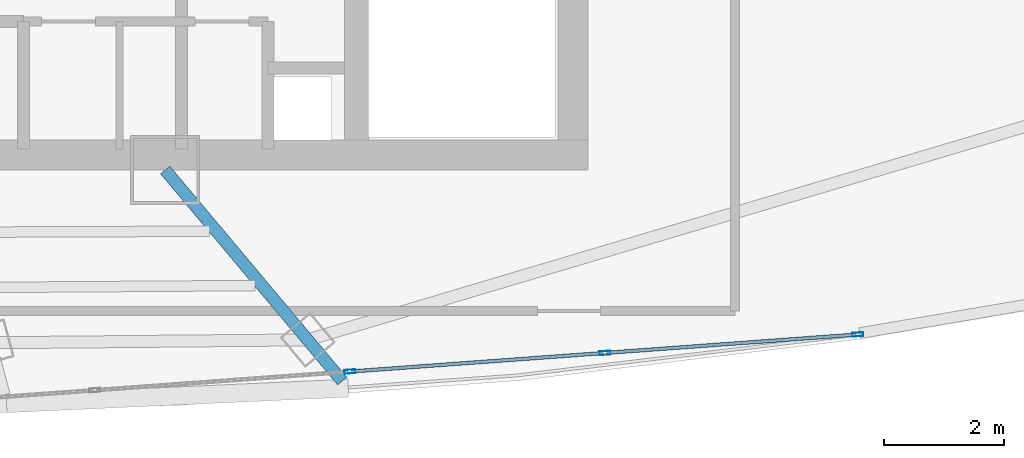
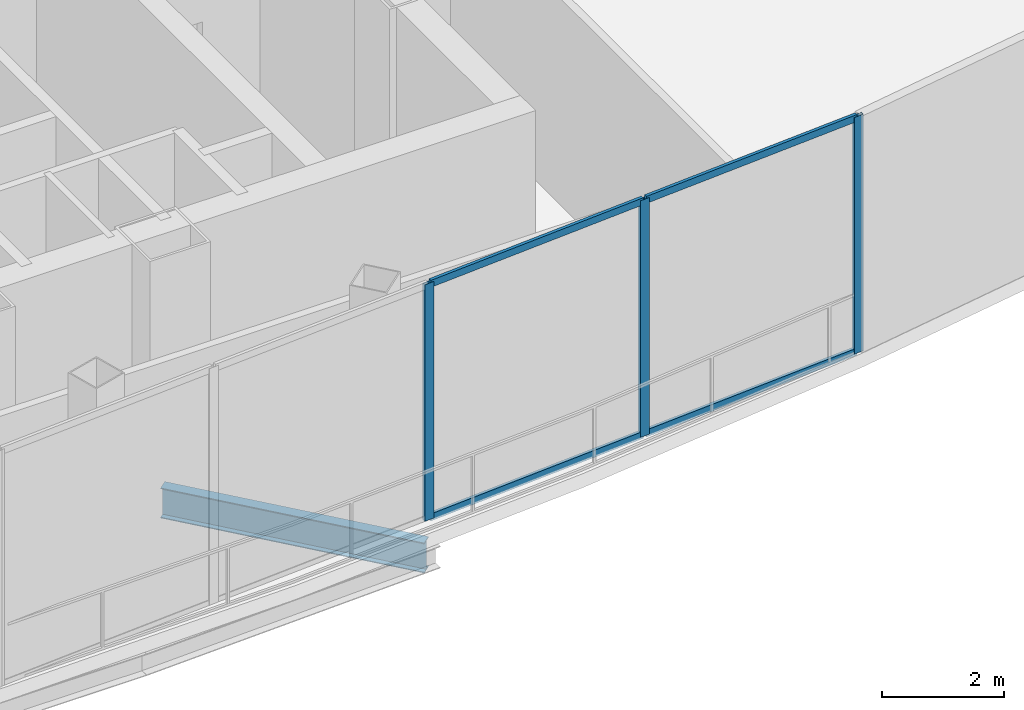
# One storey, part 14 of 32: 7 members, 1 beam, 1 element without a shape of its own.
"""IFC4 building model written with IfcOpenShell, lengths in metres."""

from ifc_helpers import new_model, si_unit, direction, frame, origin, origin_2d, place, context, subcontext, project, spatial, hollow_rectangle, i_section, extrude, source, transform, mapped, material, layer, layer_set, material_profile, profile_set, type_object, element, aggregate, save


model = new_model("IFC4")

# Units and contexts
model_context = context("Model", 3, precision=1e-05, world=origin(), true_north=direction((0.0, 1.0)))
body_context = subcontext(model_context, "Body", "Model", "MODEL_VIEW")
ifc_project = project(units=[si_unit("LENGTHUNIT", "METRE"), si_unit("AREAUNIT", "SQUARE_METRE"), si_unit("VOLUMEUNIT", "CUBIC_METRE"), si_unit("PLANEANGLEUNIT", "RADIAN"), si_unit("MASSUNIT", "GRAM", prefix="KILO"), si_unit("THERMODYNAMICTEMPERATUREUNIT", "KELVIN"), si_unit("POWERUNIT", "WATT")], contexts=[model_context])

# Site, building, storey
site_placement = place(None, origin())
site = spatial("IfcSite", under=ifc_project, at=site_placement, CompositionType="ELEMENT")
building_placement = place(site_placement, origin())
building = spatial("IfcBuilding", under=site, at=building_placement, Name="Yunzhuo Pagoda Commons", CompositionType="ELEMENT")
storey_placement = place(building_placement, frame((0.0, 0.0, 396.760009765625)))
storey = spatial("IfcBuildingStorey", under=building, at=storey_placement, Name="L98", CompositionType="ELEMENT", Elevation=396.760009765625)

# Beam
ifc_material_1 = material(Name="Structural steel Q355B", Category="steel")
ifc_material_profile_1 = material_profile(ifc_material_1, i_section(OverallWidth=0.199951171875, OverallDepth=0.60009765625, WebThickness=0.010986328125, FlangeThickness=0.01708984375, at=origin_2d()), Name="Structural steel Q355B")
ifc_profile_set_1 = profile_set([ifc_material_profile_1], Name="Structural steel Q355B")
beam_type = type_object("IfcBeamType", Name="B-RG3 Beam HN 600x200x11x17", PredefinedType="BEAM", material=ifc_profile_set_1)
shared_shape_1 = source(origin(), body_context, "Body", "SweptSolid", [
    extrude(i_section(OverallWidth=0.199951171875, OverallDepth=0.60009765625, WebThickness=0.010986328125, FlangeThickness=0.01708984375, at=origin_2d()), origin(), (0.0, 0.0, 1.0), 4.587158203125),
])
beam_placement = place(storey_placement, frame((56.360595703125, 23.736083984375, -0.580078125), z_axis=(-0.642782581433, 0.766048662297, 0.0), x_axis=(-0.766048662297, -0.642782581433, 0.0)))
element("IfcBeam", 1, at=beam_placement, inside=storey, type_object=beam_type, Name="L98 radial floor girder F1C4", PredefinedType="BEAM", context=body_context, shape_type="MappedRepresentation", body=[
    mapped(shared_shape_1, transform((0.0, 0.0, 0.0), scale=1.0)),
])

# Curtain wall, members
ifc_material_2 = material(Name="Anodized aluminium 6063-T6", Category="aluminium")
ifc_layer = layer(ifc_material_2, 0.179931640625)
ifc_layer_set = layer_set([ifc_layer], Name="Anodized aluminium 6063-T6")
curtain_wall_type = type_object("IfcCurtainWallType", Name="CW-CRN Crown Gable Glazing System", PredefinedType="NOTDEFINED", material=ifc_layer_set)
curtain_wall_placement = place(storey_placement, origin())
curtain_wall = element("IfcCurtainWall", 2, at=curtain_wall_placement, inside=storey, type_object=curtain_wall_type, Name="L98 curtain wall CW-L98-CRNF1G2", PredefinedType="NOTDEFINED")
ifc_material_profile_2 = material_profile(ifc_material_2, hollow_rectangle(XDim=0.06494140625, YDim=0.179931640625, WallThickness=0.00390625, at=origin_2d()), Name="Anodized aluminium 6063-T6")
ifc_profile_set_2 = profile_set([ifc_material_profile_2], Name="Anodized aluminium 6063-T6")
member_type_1 = type_object("IfcMemberType", Name="CW-CRN-M Mullion RHS 180x65x4", PredefinedType="MULLION", material=ifc_profile_set_2)
shared_shape_2 = source(origin(), body_context, "Body", "SweptSolid", [
    extrude(hollow_rectangle(XDim=0.06494140625, YDim=0.179931640625, WallThickness=0.00390625, at=origin_2d()), origin(), (0.0, 0.0, 1.0), 4.72021484375),
])
member_1_placement = place(storey_placement, frame((56.486572265625, 23.8935546875, 0.0), z_axis=(0.0, 0.0, 1.0), x_axis=(-0.072795997095, 0.997346851806, 0.0)))
member_1 = element("IfcMember", 3, at=member_1_placement, type_object=member_type_1, Name="CW mullion 3", PredefinedType="MULLION", context=body_context, shape_type="MappedRepresentation", body=[
    mapped(shared_shape_2, transform((0.0, 0.0, 0.0), scale=1.0)),
])
member_2_placement = place(storey_placement, frame((60.732666015625, 24.20361328125, 0.0), z_axis=(0.0, 0.0, 1.0), x_axis=(-0.072795997095, 0.997346851806, 0.0)))
member_2 = element("IfcMember", 4, at=member_2_placement, type_object=member_type_1, Name="CW mullion 4", PredefinedType="MULLION", context=body_context, shape_type="MappedRepresentation", body=[
    mapped(shared_shape_2, transform((0.0, 0.0, 0.0), scale=1.0)),
])
member_3_placement = place(storey_placement, frame((64.9462890625, 24.511474609375, 0.0), z_axis=(0.0, 0.0, 1.0), x_axis=(-0.072795997095, 0.997346851806, 0.0)))
member_3 = element("IfcMember", 5, at=member_3_placement, type_object=member_type_1, Name="CW mullion 5", PredefinedType="MULLION", context=body_context, shape_type="MappedRepresentation", body=[
    mapped(shared_shape_2, transform((0.0, 0.0, 0.0), scale=1.0)),
])
ifc_material_profile_3 = material_profile(ifc_material_2, hollow_rectangle(XDim=0.06005859375, YDim=0.139892578125, WallThickness=0.00341796875, at=origin_2d()), Name="Anodized aluminium 6063-T6")
ifc_profile_set_3 = profile_set([ifc_material_profile_3], Name="Anodized aluminium 6063-T6")
member_type_2 = type_object("IfcMemberType", Name="CW-CRN-T Transom RHS 140x60x3.5", PredefinedType="USERDEFINED", material=ifc_profile_set_3)
shared_shape_3 = source(origin(), body_context, "Body", "SweptSolid", [
    extrude(hollow_rectangle(XDim=0.06005859375, YDim=0.139892578125, WallThickness=0.00341796875, at=origin_2d()), origin(), (0.0, 0.0, 1.0), 4.192626953125),
])
member_4_placement = place(storey_placement, frame((56.518798828125, 23.89599609375, 0.030029296875), z_axis=(0.99734724805, 0.072790568113, 0.0), x_axis=(-0.072790568113, 0.99734724805, 0.0)))
member_4 = element("IfcMember", 6, at=member_4_placement, type_object=member_type_2, Name="CW transom 3.1", ObjectType="TRANSOM", PredefinedType="USERDEFINED", context=body_context, shape_type="MappedRepresentation", body=[
    mapped(shared_shape_3, transform((0.0, 0.0, 0.0), scale=1.0)),
])
member_5_placement = place(storey_placement, frame((56.518798828125, 23.89599609375, 4.68994140625), z_axis=(0.99734724805, 0.072790568113, 0.0), x_axis=(-0.072790568113, 0.99734724805, 0.0)))
member_5 = element("IfcMember", 7, at=member_5_placement, type_object=member_type_2, Name="CW transom 3.2", ObjectType="TRANSOM", PredefinedType="USERDEFINED", context=body_context, shape_type="MappedRepresentation", body=[
    mapped(shared_shape_3, transform((0.0, 0.0, 0.0), scale=1.0)),
])
shared_shape_4 = source(origin(), body_context, "Body", "SweptSolid", [
    extrude(hollow_rectangle(XDim=0.06005859375, YDim=0.139892578125, WallThickness=0.00341796875, at=origin_2d()), origin(), (0.0, 0.0, 1.0), 4.16015625),
])
member_6_placement = place(storey_placement, frame((60.76513671875, 24.2060546875, 0.030029296875), z_axis=(0.997348807495, 0.072769198076, 0.0), x_axis=(-0.072769198076, 0.997348807495, 0.0)))
member_6 = element("IfcMember", 8, at=member_6_placement, type_object=member_type_2, Name="CW transom 4.1", ObjectType="TRANSOM", PredefinedType="USERDEFINED", context=body_context, shape_type="MappedRepresentation", body=[
    mapped(shared_shape_4, transform((0.0, 0.0, 0.0), scale=1.0)),
])
member_7_placement = place(storey_placement, frame((60.76513671875, 24.2060546875, 4.68994140625), z_axis=(0.997348807495, 0.072769198076, 0.0), x_axis=(-0.072769198076, 0.997348807495, 0.0)))
member_7 = element("IfcMember", 9, at=member_7_placement, type_object=member_type_2, Name="CW transom 4.2", ObjectType="TRANSOM", PredefinedType="USERDEFINED", context=body_context, shape_type="MappedRepresentation", body=[
    mapped(shared_shape_4, transform((0.0, 0.0, 0.0), scale=1.0)),
])
aggregate(curtain_wall, [member_1, member_2, member_3, member_4, member_5, member_6, member_7])

save(model, "model.ifc")
